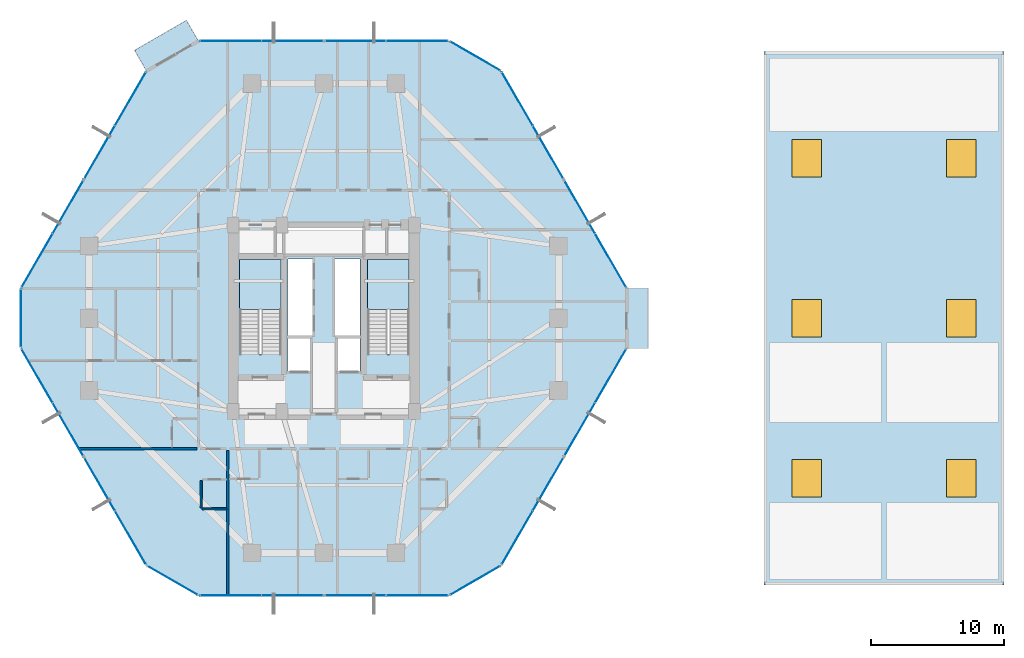
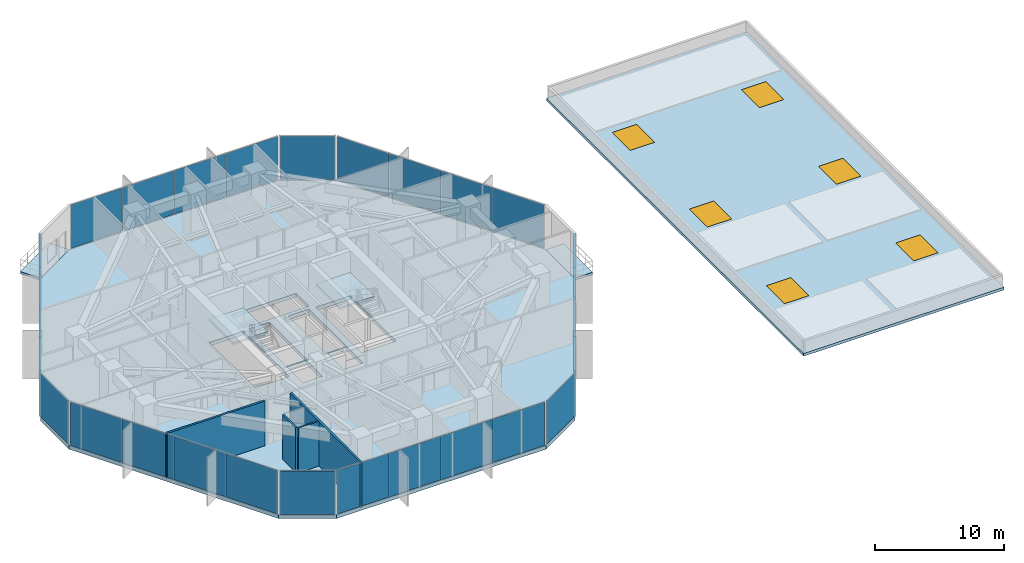
# One storey, part 32 of 39: 28 plates, 6 slabs, 6 windows, 4 walls, 6 openings, 12 elements without a shape of their own.
"""IFC4 building model written with IfcOpenShell, lengths in metres."""

from ifc_helpers import new_model, si_unit, direction, frame, frame_2d, origin, origin_2d, place, context, subcontext, project, spatial, polyline, rectangle, outline, extrude, source, transform, mapped, material, layer, layer_set, type_object, element, fill, aggregate, save


model = new_model("IFC4")

# Units and contexts
model_context = context("Model", 3, precision=1e-05, world=origin(), true_north=direction((0.0, 1.0)))
body_context = subcontext(model_context, "Body", "Model", "MODEL_VIEW")
ifc_project = project(units=[si_unit("LENGTHUNIT", "METRE"), si_unit("AREAUNIT", "SQUARE_METRE"), si_unit("VOLUMEUNIT", "CUBIC_METRE"), si_unit("PLANEANGLEUNIT", "RADIAN"), si_unit("MASSUNIT", "GRAM", prefix="KILO")], contexts=[model_context])

# Site, building, storey
site_placement = place(None, origin())
site = spatial("IfcSite", under=ifc_project, at=site_placement, CompositionType="ELEMENT")
building_placement = place(site_placement, origin())
building = spatial("IfcBuilding", under=site, at=building_placement, Name="Veraguas Prism Commons", CompositionType="ELEMENT")
storey_placement = place(building_placement, frame((0.0, 0.0, 22.800048828125)))
storey = spatial("IfcBuildingStorey", under=building, at=storey_placement, Name="L05", CompositionType="ELEMENT", Elevation=22.800048828125)

# Slab, openings, windows
ifc_material_1 = material(Name="Concrete C45/55", Category="concrete")
ifc_layer_1 = layer(ifc_material_1, 0.260009765625, Name="Podium Clinic and Crown Roof Slab RC 260", Category="concrete")
ifc_layer_set_1 = layer_set([ifc_layer_1], Name="Concrete C45/55")
slab_type_1 = type_object("IfcSlabType", Name="Podium Clinic and Crown Roof Slab RC 260", PredefinedType="ROOF", material=ifc_layer_set_1)
slab_1_placement = place(storey_placement, frame((0.0, 0.0, -0.260009765625)))
slab_1 = element("IfcSlab", 1, at=slab_1_placement, inside=storey, type_object=slab_type_1, Name="Health Centre Main Roof Slab", PredefinedType="ROOF", context=body_context, shape_type="SweptSolid", body=[
    extrude(outline(polyline([(57.0, 4.0), (75.0, 4.0), (75.0, 44.0), (57.0, 44.0), (57.0, 4.0)])), origin(), (0.0, 0.0, 1.0), 0.260009765625),
])
opening_1_placement = place(slab_1_placement, frame((60.199951171875, 12.0, -0.010009765625)))
opening_1 = element("IfcOpeningElement", 2, at=opening_1_placement, cuts=slab_1, Name="Opening SK-01", PredefinedType="OPENING", context=body_context, shape_type="SweptSolid", body=[
    extrude(rectangle(XDim=2.199951171875, YDim=2.800048828125, at=origin_2d()), origin(), (0.0, 0.0, 1.0), 0.280029296875),
])
opening_2_placement = place(slab_1_placement, frame((71.800048828125, 12.0, -0.010009765625)))
opening_2 = element("IfcOpeningElement", 3, at=opening_2_placement, cuts=slab_1, Name="Opening SK-01", PredefinedType="OPENING", context=body_context, shape_type="SweptSolid", body=[
    extrude(rectangle(XDim=2.199951171875, YDim=2.800048828125, at=origin_2d()), origin(), (0.0, 0.0, 1.0), 0.280029296875),
])
opening_3_placement = place(slab_1_placement, frame((60.199951171875, 24.0, -0.010009765625)))
opening_3 = element("IfcOpeningElement", 4, at=opening_3_placement, cuts=slab_1, Name="Opening SK-01", PredefinedType="OPENING", context=body_context, shape_type="SweptSolid", body=[
    extrude(rectangle(XDim=2.199951171875, YDim=2.800048828125, at=origin_2d()), origin(), (0.0, 0.0, 1.0), 0.280029296875),
])
opening_4_placement = place(slab_1_placement, frame((71.800048828125, 24.0, -0.010009765625)))
opening_4 = element("IfcOpeningElement", 5, at=opening_4_placement, cuts=slab_1, Name="Opening SK-01", PredefinedType="OPENING", context=body_context, shape_type="SweptSolid", body=[
    extrude(rectangle(XDim=2.199951171875, YDim=2.800048828125, at=origin_2d()), origin(), (0.0, 0.0, 1.0), 0.280029296875),
])
opening_5_placement = place(slab_1_placement, frame((60.199951171875, 36.0, -0.010009765625)))
opening_5 = element("IfcOpeningElement", 6, at=opening_5_placement, cuts=slab_1, Name="Opening SK-01", PredefinedType="OPENING", context=body_context, shape_type="SweptSolid", body=[
    extrude(rectangle(XDim=2.199951171875, YDim=2.800048828125, at=origin_2d()), origin(), (0.0, 0.0, 1.0), 0.280029296875),
])
opening_6_placement = place(slab_1_placement, frame((71.800048828125, 36.0, -0.010009765625)))
opening_6 = element("IfcOpeningElement", 7, at=opening_6_placement, cuts=slab_1, Name="Opening SK-01", PredefinedType="OPENING", context=body_context, shape_type="SweptSolid", body=[
    extrude(rectangle(XDim=2.199951171875, YDim=2.800048828125, at=origin_2d()), origin(), (0.0, 0.0, 1.0), 0.280029296875),
])
ifc_material_2 = material(Name="Laminated low-e glass", Category="glass")
window_type = type_object("IfcWindowType", Name="Podium and Clinic Roof Skylight 2200x2800", PartitioningType="SINGLE_PANEL", PredefinedType="SKYLIGHT", material=ifc_material_2)
window_1_placement = place(slab_1_placement, frame((60.199951171875, 12.0, 0.2099609375)))
window_1 = element("IfcWindow", 8, at=window_1_placement, inside=storey, type_object=window_type, Name="Health Centre Roof Skylight 01", OverallHeight=2.800048828125, OverallWidth=2.199951171875, PartitioningType="SINGLE_PANEL", PredefinedType="SKYLIGHT", context=body_context, shape_type="SweptSolid", body=[
    extrude(rectangle(XDim=2.199951171875, YDim=2.800048828125, at=origin_2d()), origin(), (0.0, 0.0, 1.0), 0.050048828125),
])
fill(opening_1, window_1)
window_2_placement = place(slab_1_placement, frame((71.800048828125, 12.0, 0.2099609375)))
window_2 = element("IfcWindow", 9, at=window_2_placement, inside=storey, type_object=window_type, Name="Health Centre Roof Skylight 02", OverallHeight=2.800048828125, OverallWidth=2.199951171875, PartitioningType="SINGLE_PANEL", PredefinedType="SKYLIGHT", context=body_context, shape_type="SweptSolid", body=[
    extrude(rectangle(XDim=2.199951171875, YDim=2.800048828125, at=origin_2d()), origin(), (0.0, 0.0, 1.0), 0.050048828125),
])
fill(opening_2, window_2)
window_3_placement = place(slab_1_placement, frame((60.199951171875, 24.0, 0.2099609375)))
window_3 = element("IfcWindow", 10, at=window_3_placement, inside=storey, type_object=window_type, Name="Health Centre Roof Skylight 03", OverallHeight=2.800048828125, OverallWidth=2.199951171875, PartitioningType="SINGLE_PANEL", PredefinedType="SKYLIGHT", context=body_context, shape_type="SweptSolid", body=[
    extrude(rectangle(XDim=2.199951171875, YDim=2.800048828125, at=origin_2d()), origin(), (0.0, 0.0, 1.0), 0.050048828125),
])
fill(opening_3, window_3)
window_4_placement = place(slab_1_placement, frame((71.800048828125, 24.0, 0.2099609375)))
window_4 = element("IfcWindow", 11, at=window_4_placement, inside=storey, type_object=window_type, Name="Health Centre Roof Skylight 04", OverallHeight=2.800048828125, OverallWidth=2.199951171875, PartitioningType="SINGLE_PANEL", PredefinedType="SKYLIGHT", context=body_context, shape_type="SweptSolid", body=[
    extrude(rectangle(XDim=2.199951171875, YDim=2.800048828125, at=origin_2d()), origin(), (0.0, 0.0, 1.0), 0.050048828125),
])
fill(opening_4, window_4)
window_5_placement = place(slab_1_placement, frame((60.199951171875, 36.0, 0.2099609375)))
window_5 = element("IfcWindow", 12, at=window_5_placement, inside=storey, type_object=window_type, Name="Health Centre Roof Skylight 05", OverallHeight=2.800048828125, OverallWidth=2.199951171875, PartitioningType="SINGLE_PANEL", PredefinedType="SKYLIGHT", context=body_context, shape_type="SweptSolid", body=[
    extrude(rectangle(XDim=2.199951171875, YDim=2.800048828125, at=origin_2d()), origin(), (0.0, 0.0, 1.0), 0.050048828125),
])
fill(opening_5, window_5)
window_6_placement = place(slab_1_placement, frame((71.800048828125, 36.0, 0.2099609375)))
window_6 = element("IfcWindow", 13, at=window_6_placement, inside=storey, type_object=window_type, Name="Health Centre Roof Skylight 06", OverallHeight=2.800048828125, OverallWidth=2.199951171875, PartitioningType="SINGLE_PANEL", PredefinedType="SKYLIGHT", context=body_context, shape_type="SweptSolid", body=[
    extrude(rectangle(XDim=2.199951171875, YDim=2.800048828125, at=origin_2d()), origin(), (0.0, 0.0, 1.0), 0.050048828125),
])
fill(opening_6, window_6)

# Slab
ifc_layer_2 = layer(ifc_material_1, 0.35009765625, Name="Podium Transfer Deck Slab RC 350", Category="concrete")
ifc_layer_set_2 = layer_set([ifc_layer_2], Name="Concrete C45/55")
slab_type_2 = type_object("IfcSlabType", Name="Podium Transfer Deck Slab RC 350", PredefinedType="FLOOR", material=ifc_layer_set_2)
slab_2_placement = place(storey_placement, frame((0.0, 0.0, -0.35009765625)))
element("IfcSlab", 14, at=slab_2_placement, inside=storey, type_object=slab_type_2, Name="Tower Floor Slab L05", PredefinedType="FLOOR", context=body_context, shape_type="SweptSolid", body=[
    extrude(outline(polyline([(46.700927734375, 21.75), (46.700927734375, 26.25), (37.299072265625, 42.53466796875), (33.40185546875, 44.78466796875), (14.59814453125, 44.78466796875), (10.700927734375, 42.53466796875), (1.299072265625, 26.25), (1.299072265625, 21.75), (10.700927734375, 5.46533203125), (14.59814453125, 3.21533203125), (33.40185546875, 3.21533203125), (37.299072265625, 5.46533203125), (46.700927734375, 21.75)]), holes=[polyline([(20.800048828125, 21.31005859375), (20.800048828125, 28.39990234375), (17.68994140625, 28.39990234375), (17.68994140625, 21.31005859375), (20.800048828125, 21.31005859375)]), polyline([(30.39990234375, 21.31005859375), (30.39990234375, 28.39990234375), (27.2900390625, 28.39990234375), (27.2900390625, 21.31005859375), (30.39990234375, 21.31005859375)]), polyline([(21.300048828125, 22.64990234375), (23.14990234375, 22.64990234375), (23.14990234375, 28.449951171875), (21.300048828125, 28.449951171875), (21.300048828125, 22.64990234375)]), polyline([(24.85009765625, 22.64990234375), (26.699951171875, 22.64990234375), (26.699951171875, 28.449951171875), (24.85009765625, 28.449951171875), (24.85009765625, 22.64990234375)]), polyline([(21.10009765625, 28.800048828125), (26.89990234375, 28.800048828125), (26.89990234375, 30.800048828125), (21.10009765625, 30.800048828125), (21.10009765625, 28.800048828125)]), polyline([(21.300048828125, 20.050048828125), (23.050048828125, 20.050048828125), (23.050048828125, 22.550048828125), (21.300048828125, 22.550048828125), (21.300048828125, 20.050048828125)]), polyline([(24.949951171875, 20.050048828125), (26.699951171875, 20.050048828125), (26.699951171875, 22.550048828125), (24.949951171875, 22.550048828125), (24.949951171875, 20.050048828125)])]), origin(), (0.0, 0.0, 1.0), 0.35009765625),
])

# Stair, slab
ifc_material_3 = material(Name="Precast concrete C45/55", Category="concrete")
stair_type = type_object("IfcStairType", Name="Dogleg Core Stair 1480W 26R 04", PredefinedType="HALF_TURN_STAIR", material=ifc_material_3)
stair_1_placement = place(storey_placement, origin())
stair_1 = element("IfcStair", 15, at=stair_1_placement, inside=storey, type_object=stair_type, Name="Protected Exit Stair ST-01 L05", PredefinedType="HALF_TURN_STAIR")
ifc_layer_3 = layer(ifc_material_3, 0.199951171875, Name="Precast Stair and Ramp Landing Slab 200", Category="concrete")
ifc_layer_set_3 = layer_set([ifc_layer_3], Name="Precast concrete C45/55")
slab_type_3 = type_object("IfcSlabType", Name="Precast Stair and Ramp Landing Slab 200", PredefinedType="LANDING", material=ifc_layer_set_3)
slab_3_placement = place(storey_placement, frame((0.0, 0.0, 2.050048828125)))
slab_3 = element("IfcSlab", 16, at=slab_3_placement, type_object=slab_type_3, Name="ST-04 Landing 1", PredefinedType="LANDING", context=body_context, shape_type="SweptSolid", body=[
    extrude(outline(polyline([(20.800048828125, 24.639892578125), (20.800048828125, 28.39990234375), (17.68994140625, 28.39990234375), (17.68994140625, 24.639892578125), (20.800048828125, 24.639892578125)])), origin(), (0.0, 0.0, 1.0), 0.199951171875),
])
aggregate(stair_1, [slab_3])

stair_2_placement = place(storey_placement, origin())
stair_2 = element("IfcStair", 17, at=stair_2_placement, inside=storey, type_object=stair_type, Name="Protected Exit Stair ST-02 L05", PredefinedType="HALF_TURN_STAIR")
slab_4_placement = place(storey_placement, frame((0.0, 0.0, 2.050048828125)))
slab_4 = element("IfcSlab", 18, at=slab_4_placement, type_object=slab_type_3, Name="ST-04 Landing 1", PredefinedType="LANDING", context=body_context, shape_type="SweptSolid", body=[
    extrude(outline(polyline([(30.39990234375, 24.639892578125), (30.39990234375, 28.39990234375), (27.2900390625, 28.39990234375), (27.2900390625, 24.639892578125), (30.39990234375, 24.639892578125)])), origin(), (0.0, 0.0, 1.0), 0.199951171875),
])
aggregate(stair_2, [slab_4])

# Slabs
ifc_layer_4 = layer(ifc_material_1, 0.219970703125, Name="Recessed Loggia and Terrace Slab RC 220", Category="concrete")
ifc_layer_set_4 = layer_set([ifc_layer_4], Name="Concrete C45/55")
slab_type_4 = type_object("IfcSlabType", Name="Recessed Loggia and Terrace Slab RC 220", PredefinedType="FLOOR", material=ifc_layer_set_4)
slab_5_placement = place(storey_placement, frame((0.0, 0.0, -0.219970703125)))
element("IfcSlab", 19, at=slab_5_placement, inside=storey, type_object=slab_type_4, Name="Recessed Corner Loggia L05-C1", PredefinedType="FLOOR", context=body_context, shape_type="SweptSolid", body=[
    extrude(outline(polyline([(46.680908203125, 21.75), (48.301025390625, 21.75), (48.301025390625, 26.25), (46.680908203125, 26.25), (46.680908203125, 21.75)])), origin(), (0.0, 0.0, 1.0), 0.219970703125),
])
slab_6_placement = place(storey_placement, frame((0.0, 0.0, -0.219970703125)))
element("IfcSlab", 20, at=slab_6_placement, inside=storey, type_object=slab_type_4, Name="Setback Sky Terrace L05", PredefinedType="FLOOR", context=body_context, shape_type="SweptSolid", body=[
    extrude(outline(polyline([(14.608154296875, 44.767333984375), (13.697998046875, 46.343505859375), (9.801025390625, 44.093505859375), (10.7109375, 42.517333984375), (14.608154296875, 44.767333984375)])), origin(), (0.0, 0.0, 1.0), 0.219970703125),
])

# Curtain wall, plates
ifc_material_4 = material(Name="Anodised aluminium EN AW-6063 T6", Category="aluminium")
ifc_layer_5 = layer(ifc_material_4, 0.169921875, Name="Unitised Flush Curtain Wall Zone 1", Category="aluminium")
ifc_layer_set_5 = layer_set([ifc_layer_5], Name="Anodised aluminium EN AW-6063 T6")
curtain_wall_type = type_object("IfcCurtainWallType", Name="Unitised Flush Curtain Wall Zone 1", PredefinedType="NOTDEFINED", material=ifc_layer_set_5)
curtain_wall_1_placement = place(storey_placement, origin())
curtain_wall_1 = element("IfcCurtainWall", 21, at=curtain_wall_1_placement, inside=storey, type_object=curtain_wall_type, Name="Tower Facade Curtain Wall L05-F1", PredefinedType="NOTDEFINED")
ifc_layer_6 = layer(ifc_material_2, 0.028076171875, Name="Unitised Double Low-E Glazed Panel 28", Category="glass")
ifc_layer_set_6 = layer_set([ifc_layer_6], Name="Laminated low-e glass")
plate_type = type_object("IfcPlateType", Name="Unitised Double Low-E Glazed Panel 28", PredefinedType="CURTAIN_PANEL", material=ifc_layer_set_6)
shared_shape_1 = source(origin(), body_context, "Body", "SweptSolid", [
    extrude(rectangle(XDim=4.5810546875, YDim=0.028076171875, at=origin_2d()), origin(), (0.0, 0.0, 1.0), 4.139892578125),
])
plate_1_placement = place(storey_placement, frame((45.495849609375, 28.337646484375, 0.05517578125), z_axis=(0.0, 0.0, 1.0), x_axis=(-0.500004534492, 0.866022785779, 0.0)))
plate_1 = element("IfcPlate", 22, at=plate_1_placement, type_object=plate_type, Name="CW-Z1 Panel 1.1", PredefinedType="CURTAIN_PANEL", context=body_context, shape_type="MappedRepresentation", body=[
    mapped(shared_shape_1, transform((0.0, 0.0, 0.0), scale=1.0)),
])
plate_2_placement = place(storey_placement, frame((38.504150390625, 40.447021484375, 0.05517578125), z_axis=(0.0, 0.0, 1.0), x_axis=(-0.500004534492, 0.866022785779, 0.0)))
plate_2 = element("IfcPlate", 23, at=plate_2_placement, type_object=plate_type, Name="CW-Z1 Panel 4.1", PredefinedType="CURTAIN_PANEL", context=body_context, shape_type="MappedRepresentation", body=[
    mapped(shared_shape_1, transform((0.0, 0.0, 0.0), scale=1.0)),
])

curtain_wall_2_placement = place(storey_placement, origin())
curtain_wall_2 = element("IfcCurtainWall", 24, at=curtain_wall_2_placement, inside=storey, type_object=curtain_wall_type, Name="Tower Facade Curtain Wall L05-F2", PredefinedType="NOTDEFINED")
plate_3_placement = place(storey_placement, frame((30.991455078125, 44.78466796875, 0.05517578125), z_axis=(0.0, 0.0, 1.0), x_axis=(-1.0, 0.0, 0.0)))
plate_3 = element("IfcPlate", 25, at=plate_3_placement, type_object=plate_type, Name="CW-Z1 Panel 1.1", PredefinedType="CURTAIN_PANEL", context=body_context, shape_type="MappedRepresentation", body=[
    mapped(shared_shape_1, transform((0.0, 0.0, 0.0), scale=1.0)),
])
plate_4_placement = place(storey_placement, frame((17.008544921875, 44.78466796875, 0.05517578125), z_axis=(0.0, 0.0, 1.0), x_axis=(-1.0, 0.0, 0.0)))
plate_4 = element("IfcPlate", 26, at=plate_4_placement, type_object=plate_type, Name="CW-Z1 Panel 4.1", PredefinedType="CURTAIN_PANEL", context=body_context, shape_type="MappedRepresentation", body=[
    mapped(shared_shape_1, transform((0.0, 0.0, 0.0), scale=1.0)),
])

curtain_wall_3_placement = place(storey_placement, origin())
curtain_wall_3 = element("IfcCurtainWall", 27, at=curtain_wall_3_placement, inside=storey, type_object=curtain_wall_type, Name="Tower Facade Curtain Wall L05-F3", PredefinedType="NOTDEFINED")
plate_5_placement = place(storey_placement, frame((9.495849609375, 40.447021484375, 0.05517578125), z_axis=(0.0, 0.0, 1.0), x_axis=(-0.500004534492, -0.866022785779, 0.0)))
plate_5 = element("IfcPlate", 28, at=plate_5_placement, type_object=plate_type, Name="CW-Z1 Panel 1.1", PredefinedType="CURTAIN_PANEL", context=body_context, shape_type="MappedRepresentation", body=[
    mapped(shared_shape_1, transform((0.0, 0.0, 0.0), scale=1.0)),
])
plate_6_placement = place(storey_placement, frame((2.504150390625, 28.337646484375, 0.05517578125), z_axis=(0.0, 0.0, 1.0), x_axis=(-0.500004534492, -0.866022785779, 0.0)))
plate_6 = element("IfcPlate", 29, at=plate_6_placement, type_object=plate_type, Name="CW-Z1 Panel 4.1", PredefinedType="CURTAIN_PANEL", context=body_context, shape_type="MappedRepresentation", body=[
    mapped(shared_shape_1, transform((0.0, 0.0, 0.0), scale=1.0)),
])

curtain_wall_4_placement = place(storey_placement, origin())
curtain_wall_4 = element("IfcCurtainWall", 30, at=curtain_wall_4_placement, inside=storey, type_object=curtain_wall_type, Name="Tower Facade Curtain Wall L05-F4", PredefinedType="NOTDEFINED")
plate_7_placement = place(storey_placement, frame((2.504150390625, 19.662353515625, 0.05517578125), z_axis=(0.0, 0.0, 1.0), x_axis=(0.500004534492, -0.866022785779, 0.0)))
plate_7 = element("IfcPlate", 31, at=plate_7_placement, type_object=plate_type, Name="CW-Z1 Panel 1.1", PredefinedType="CURTAIN_PANEL", context=body_context, shape_type="MappedRepresentation", body=[
    mapped(shared_shape_1, transform((0.0, 0.0, 0.0), scale=1.0)),
])
plate_8_placement = place(storey_placement, frame((9.495849609375, 7.552978515625, 0.05517578125), z_axis=(0.0, 0.0, 1.0), x_axis=(0.500004534492, -0.866022785779, 0.0)))
plate_8 = element("IfcPlate", 32, at=plate_8_placement, type_object=plate_type, Name="CW-Z1 Panel 4.1", PredefinedType="CURTAIN_PANEL", context=body_context, shape_type="MappedRepresentation", body=[
    mapped(shared_shape_1, transform((0.0, 0.0, 0.0), scale=1.0)),
])

curtain_wall_5_placement = place(storey_placement, origin())
curtain_wall_5 = element("IfcCurtainWall", 33, at=curtain_wall_5_placement, inside=storey, type_object=curtain_wall_type, Name="Tower Facade Curtain Wall L05-F5", PredefinedType="NOTDEFINED")
plate_9_placement = place(storey_placement, frame((17.008544921875, 3.21533203125, 0.05517578125), z_axis=(0.0, 0.0, 1.0), x_axis=(1.0, 0.0, 0.0)))
plate_9 = element("IfcPlate", 34, at=plate_9_placement, type_object=plate_type, Name="CW-Z1 Panel 1.1", PredefinedType="CURTAIN_PANEL", context=body_context, shape_type="MappedRepresentation", body=[
    mapped(shared_shape_1, transform((0.0, 0.0, 0.0), scale=1.0)),
])
plate_10_placement = place(storey_placement, frame((30.991455078125, 3.21533203125, 0.05517578125), z_axis=(0.0, 0.0, 1.0), x_axis=(1.0, 0.0, 0.0)))
plate_10 = element("IfcPlate", 35, at=plate_10_placement, type_object=plate_type, Name="CW-Z1 Panel 4.1", PredefinedType="CURTAIN_PANEL", context=body_context, shape_type="MappedRepresentation", body=[
    mapped(shared_shape_1, transform((0.0, 0.0, 0.0), scale=1.0)),
])

curtain_wall_6_placement = place(storey_placement, origin())
curtain_wall_6 = element("IfcCurtainWall", 36, at=curtain_wall_6_placement, inside=storey, type_object=curtain_wall_type, Name="Tower Facade Curtain Wall L05-F6", PredefinedType="NOTDEFINED")
plate_11_placement = place(storey_placement, frame((38.504150390625, 7.552978515625, 0.05517578125), z_axis=(0.0, 0.0, 1.0), x_axis=(0.500004534492, 0.866022785779, 0.0)))
plate_11 = element("IfcPlate", 37, at=plate_11_placement, type_object=plate_type, Name="CW-Z1 Panel 1.1", PredefinedType="CURTAIN_PANEL", context=body_context, shape_type="MappedRepresentation", body=[
    mapped(shared_shape_1, transform((0.0, 0.0, 0.0), scale=1.0)),
])
plate_12_placement = place(storey_placement, frame((45.495849609375, 19.662353515625, 0.05517578125), z_axis=(0.0, 0.0, 1.0), x_axis=(0.500004534492, 0.866022785779, 0.0)))
plate_12 = element("IfcPlate", 38, at=plate_12_placement, type_object=plate_type, Name="CW-Z1 Panel 4.1", PredefinedType="CURTAIN_PANEL", context=body_context, shape_type="MappedRepresentation", body=[
    mapped(shared_shape_1, transform((0.0, 0.0, 0.0), scale=1.0)),
])

# Plate
shared_shape_2 = source(origin(), body_context, "Body", "SweptSolid", [
    extrude(rectangle(XDim=4.61083984375, YDim=0.028076171875, at=origin_2d()), origin(), (0.0, 0.0, 1.0), 4.139892578125),
])
plate_13_placement = place(storey_placement, frame((43.167724609375, 32.36962890625, 0.05517578125), z_axis=(0.0, 0.0, 1.0), x_axis=(-0.500004534492, 0.866022785779, 0.0)))
plate_13 = element("IfcPlate", 39, at=plate_13_placement, type_object=plate_type, Name="CW-Z1 Panel 2.1", PredefinedType="CURTAIN_PANEL", context=body_context, shape_type="MappedRepresentation", body=[
    mapped(shared_shape_2, transform((0.0, 0.0, 0.0), scale=1.0)),
])

plate_14_placement = place(storey_placement, frame((40.832275390625, 36.414794921875, 0.05517578125), z_axis=(0.0, 0.0, 1.0), x_axis=(-0.500004534492, 0.866022785779, 0.0)))
plate_14 = element("IfcPlate", 40, at=plate_14_placement, type_object=plate_type, Name="CW-Z1 Panel 3.1", PredefinedType="CURTAIN_PANEL", context=body_context, shape_type="MappedRepresentation", body=[
    mapped(shared_shape_2, transform((0.0, 0.0, 0.0), scale=1.0)),
])

aggregate(curtain_wall_1, [plate_1, plate_13, plate_14, plate_2])

plate_15_placement = place(storey_placement, frame((26.33544921875, 44.78466796875, 0.05517578125), z_axis=(0.0, 0.0, 1.0), x_axis=(-1.0, 0.0, 0.0)))
plate_15 = element("IfcPlate", 41, at=plate_15_placement, type_object=plate_type, Name="CW-Z1 Panel 2.1", PredefinedType="CURTAIN_PANEL", context=body_context, shape_type="MappedRepresentation", body=[
    mapped(shared_shape_2, transform((0.0, 0.0, 0.0), scale=1.0)),
])

plate_16_placement = place(storey_placement, frame((21.66455078125, 44.78466796875, 0.05517578125), z_axis=(0.0, 0.0, 1.0), x_axis=(-1.0, 0.0, 0.0)))
plate_16 = element("IfcPlate", 42, at=plate_16_placement, type_object=plate_type, Name="CW-Z1 Panel 3.1", PredefinedType="CURTAIN_PANEL", context=body_context, shape_type="MappedRepresentation", body=[
    mapped(shared_shape_2, transform((0.0, 0.0, 0.0), scale=1.0)),
])

aggregate(curtain_wall_2, [plate_3, plate_15, plate_16, plate_4])

plate_17_placement = place(storey_placement, frame((7.167724609375, 36.414794921875, 0.05517578125), z_axis=(0.0, 0.0, 1.0), x_axis=(-0.500004534492, -0.866022785779, 0.0)))
plate_17 = element("IfcPlate", 43, at=plate_17_placement, type_object=plate_type, Name="CW-Z1 Panel 2.1", PredefinedType="CURTAIN_PANEL", context=body_context, shape_type="MappedRepresentation", body=[
    mapped(shared_shape_2, transform((0.0, 0.0, 0.0), scale=1.0)),
])

plate_18_placement = place(storey_placement, frame((4.832275390625, 32.36962890625, 0.05517578125), z_axis=(0.0, 0.0, 1.0), x_axis=(-0.500004534492, -0.866022785779, 0.0)))
plate_18 = element("IfcPlate", 44, at=plate_18_placement, type_object=plate_type, Name="CW-Z1 Panel 3.1", PredefinedType="CURTAIN_PANEL", context=body_context, shape_type="MappedRepresentation", body=[
    mapped(shared_shape_2, transform((0.0, 0.0, 0.0), scale=1.0)),
])

aggregate(curtain_wall_3, [plate_5, plate_17, plate_18, plate_6])

plate_19_placement = place(storey_placement, frame((4.832275390625, 15.63037109375, 0.05517578125), z_axis=(0.0, 0.0, 1.0), x_axis=(0.500004534492, -0.866022785779, 0.0)))
plate_19 = element("IfcPlate", 45, at=plate_19_placement, type_object=plate_type, Name="CW-Z1 Panel 2.1", PredefinedType="CURTAIN_PANEL", context=body_context, shape_type="MappedRepresentation", body=[
    mapped(shared_shape_2, transform((0.0, 0.0, 0.0), scale=1.0)),
])

plate_20_placement = place(storey_placement, frame((7.167724609375, 11.585205078125, 0.05517578125), z_axis=(0.0, 0.0, 1.0), x_axis=(0.500004534492, -0.866022785779, 0.0)))
plate_20 = element("IfcPlate", 46, at=plate_20_placement, type_object=plate_type, Name="CW-Z1 Panel 3.1", PredefinedType="CURTAIN_PANEL", context=body_context, shape_type="MappedRepresentation", body=[
    mapped(shared_shape_2, transform((0.0, 0.0, 0.0), scale=1.0)),
])

aggregate(curtain_wall_4, [plate_7, plate_19, plate_20, plate_8])

plate_21_placement = place(storey_placement, frame((21.66455078125, 3.21533203125, 0.05517578125), z_axis=(0.0, 0.0, 1.0), x_axis=(1.0, 0.0, 0.0)))
plate_21 = element("IfcPlate", 47, at=plate_21_placement, type_object=plate_type, Name="CW-Z1 Panel 2.1", PredefinedType="CURTAIN_PANEL", context=body_context, shape_type="MappedRepresentation", body=[
    mapped(shared_shape_2, transform((0.0, 0.0, 0.0), scale=1.0)),
])

plate_22_placement = place(storey_placement, frame((26.33544921875, 3.21533203125, 0.05517578125), z_axis=(0.0, 0.0, 1.0), x_axis=(1.0, 0.0, 0.0)))
plate_22 = element("IfcPlate", 48, at=plate_22_placement, type_object=plate_type, Name="CW-Z1 Panel 3.1", PredefinedType="CURTAIN_PANEL", context=body_context, shape_type="MappedRepresentation", body=[
    mapped(shared_shape_2, transform((0.0, 0.0, 0.0), scale=1.0)),
])

aggregate(curtain_wall_5, [plate_9, plate_21, plate_22, plate_10])

plate_23_placement = place(storey_placement, frame((40.832275390625, 11.585205078125, 0.05517578125), z_axis=(0.0, 0.0, 1.0), x_axis=(0.500004534492, 0.866022785779, 0.0)))
plate_23 = element("IfcPlate", 49, at=plate_23_placement, type_object=plate_type, Name="CW-Z1 Panel 2.1", PredefinedType="CURTAIN_PANEL", context=body_context, shape_type="MappedRepresentation", body=[
    mapped(shared_shape_2, transform((0.0, 0.0, 0.0), scale=1.0)),
])

plate_24_placement = place(storey_placement, frame((43.167724609375, 15.63037109375, 0.05517578125), z_axis=(0.0, 0.0, 1.0), x_axis=(0.500004534492, 0.866022785779, 0.0)))
plate_24 = element("IfcPlate", 50, at=plate_24_placement, type_object=plate_type, Name="CW-Z1 Panel 3.1", PredefinedType="CURTAIN_PANEL", context=body_context, shape_type="MappedRepresentation", body=[
    mapped(shared_shape_2, transform((0.0, 0.0, 0.0), scale=1.0)),
])

aggregate(curtain_wall_6, [plate_11, plate_23, plate_24, plate_12])

# Curtain wall, plate
curtain_wall_7_placement = place(storey_placement, origin())
curtain_wall_7 = element("IfcCurtainWall", 51, at=curtain_wall_7_placement, inside=storey, type_object=curtain_wall_type, Name="Chamfer Curtain Wall L05-C2", PredefinedType="NOTDEFINED")
shared_shape_3 = source(origin(), body_context, "Body", "SweptSolid", [
    extrude(rectangle(XDim=4.260009765625, YDim=0.028076171875, at=origin_2d()), origin(), (0.0, 0.0, 1.0), 4.139892578125),
])
plate_25_placement = place(storey_placement, frame((35.350341796875, 43.65966796875, 0.05517578125), z_axis=(0.0, 0.0, 1.0), x_axis=(-0.866020167749, 0.500009068969, 0.0)))
plate_25 = element("IfcPlate", 52, at=plate_25_placement, type_object=plate_type, Name="CW-Z1 Panel 1.1", PredefinedType="CURTAIN_PANEL", context=body_context, shape_type="MappedRepresentation", body=[
    mapped(shared_shape_3, transform((0.0, 0.0, 0.0), scale=1.0)),
])
aggregate(curtain_wall_7, [plate_25])

curtain_wall_8_placement = place(storey_placement, origin())
curtain_wall_8 = element("IfcCurtainWall", 53, at=curtain_wall_8_placement, inside=storey, type_object=curtain_wall_type, Name="Chamfer Curtain Wall L05-C4", PredefinedType="NOTDEFINED")
plate_26_placement = place(storey_placement, frame((1.299072265625, 24.0, 0.05517578125), z_axis=(0.0, 0.0, 1.0), x_axis=(0.0, -1.0, 0.0)))
plate_26 = element("IfcPlate", 54, at=plate_26_placement, type_object=plate_type, Name="CW-Z1 Panel 1.1", PredefinedType="CURTAIN_PANEL", context=body_context, shape_type="MappedRepresentation", body=[
    mapped(shared_shape_3, transform((0.0, 0.0, 0.0), scale=1.0)),
])
aggregate(curtain_wall_8, [plate_26])

curtain_wall_9_placement = place(storey_placement, origin())
curtain_wall_9 = element("IfcCurtainWall", 55, at=curtain_wall_9_placement, inside=storey, type_object=curtain_wall_type, Name="Chamfer Curtain Wall L05-C5", PredefinedType="NOTDEFINED")
plate_27_placement = place(storey_placement, frame((12.649658203125, 4.34033203125, 0.05517578125), z_axis=(0.0, 0.0, 1.0), x_axis=(0.866020167749, -0.500009068969, 0.0)))
plate_27 = element("IfcPlate", 56, at=plate_27_placement, type_object=plate_type, Name="CW-Z1 Panel 1.1", PredefinedType="CURTAIN_PANEL", context=body_context, shape_type="MappedRepresentation", body=[
    mapped(shared_shape_3, transform((0.0, 0.0, 0.0), scale=1.0)),
])
aggregate(curtain_wall_9, [plate_27])

curtain_wall_10_placement = place(storey_placement, origin())
curtain_wall_10 = element("IfcCurtainWall", 57, at=curtain_wall_10_placement, inside=storey, type_object=curtain_wall_type, Name="Chamfer Curtain Wall L05-C6", PredefinedType="NOTDEFINED")
plate_28_placement = place(storey_placement, frame((35.350341796875, 4.34033203125, 0.05517578125), z_axis=(0.0, 0.0, 1.0), x_axis=(0.866020167749, 0.500009068969, 0.0)))
plate_28 = element("IfcPlate", 58, at=plate_28_placement, type_object=plate_type, Name="CW-Z1 Panel 1.1", PredefinedType="CURTAIN_PANEL", context=body_context, shape_type="MappedRepresentation", body=[
    mapped(shared_shape_3, transform((0.0, 0.0, 0.0), scale=1.0)),
])
aggregate(curtain_wall_10, [plate_28])

# Walls
ifc_material_5 = material(Name="Autoclaved aerated masonry block 10 MPa", Category="masonry")
ifc_layer_7 = layer(ifc_material_5, 0.179931640625, Name="Corridor and Inter-Tenancy Partition 180", Category="masonry")
ifc_layer_set_7 = layer_set([ifc_layer_7], Name="Autoclaved aerated masonry block 10 MPa")
wall_type_1 = type_object("IfcWallType", Name="Corridor and Inter-Tenancy Partition 180", PredefinedType="PARTITIONING", material=ifc_layer_set_7)
wall_1_placement = place(storey_placement, frame((16.800048828125, 14.080078125, 0.0), z_axis=(0.0, 0.0, 1.0), x_axis=(0.0, -1.0, 0.0)))
element("IfcWall", 59, at=wall_1_placement, inside=storey, type_object=wall_type_1, Name="WL-L05-PT001", PredefinedType="PARTITIONING", context=body_context, shape_type="SweptSolid", body=[
    extrude(rectangle(XDim=10.894775390625, YDim=0.179931640625, at=frame_2d((5.447265625, 0.0))), origin(), (0.0, 0.0, 1.0), 4.25),
])
wall_2_placement = place(storey_placement, frame((14.47998046875, 14.199951171875, 0.0), z_axis=(0.0, 0.0, 1.0), x_axis=(-1.0, 0.0, 0.0)))
element("IfcWall", 60, at=wall_2_placement, inside=storey, type_object=wall_type_1, Name="WL-L05-PT021", PredefinedType="PARTITIONING", context=body_context, shape_type="SweptSolid", body=[
    extrude(rectangle(XDim=8.856689453125, YDim=0.179931640625, at=frame_2d((4.42822265625, 0.0))), origin(), (0.0, 0.0, 1.0), 4.25),
])
ifc_material_6 = material(Name="Lightweight acoustic gypsum board")
ifc_layer_8 = layer(ifc_material_6, 0.14990234375, Name="Wet Room and Clinic Acoustic Partition 150")
ifc_layer_set_8 = layer_set([ifc_layer_8], Name="Lightweight acoustic gypsum board")
wall_type_2 = type_object("IfcWallType", Name="Wet Room and Clinic Acoustic Partition 150", PredefinedType="PARTITIONING", material=ifc_layer_set_8)
wall_3_placement = place(storey_placement, frame((14.8798828125, 9.699951171875, 0.0), z_axis=(0.0, 0.0, 1.0), x_axis=(1.0, 0.0, 0.0)))
element("IfcWall", 61, at=wall_3_placement, inside=storey, type_object=wall_type_2, Name="WL-L05-PT050", PredefinedType="PARTITIONING", context=body_context, shape_type="SweptSolid", body=[
    extrude(rectangle(XDim=1.840087890625, YDim=0.14990234375, at=frame_2d((0.919921875, 0.0))), origin(), (0.0, 0.0, 1.0), 4.25),
])
wall_4_placement = place(storey_placement, frame((14.800048828125, 9.780029296875, 0.0), z_axis=(0.0, 0.0, 1.0), x_axis=(0.0, 1.0, 0.0)))
element("IfcWall", 62, at=wall_4_placement, inside=storey, type_object=wall_type_2, Name="WL-L05-PT051", PredefinedType="PARTITIONING", context=body_context, shape_type="SweptSolid", body=[
    extrude(rectangle(XDim=2.0400390625, YDim=0.14990234375, at=frame_2d((1.02001953125, 0.0))), origin(), (0.0, 0.0, 1.0), 4.25),
])

save(model, "model.ifc")
